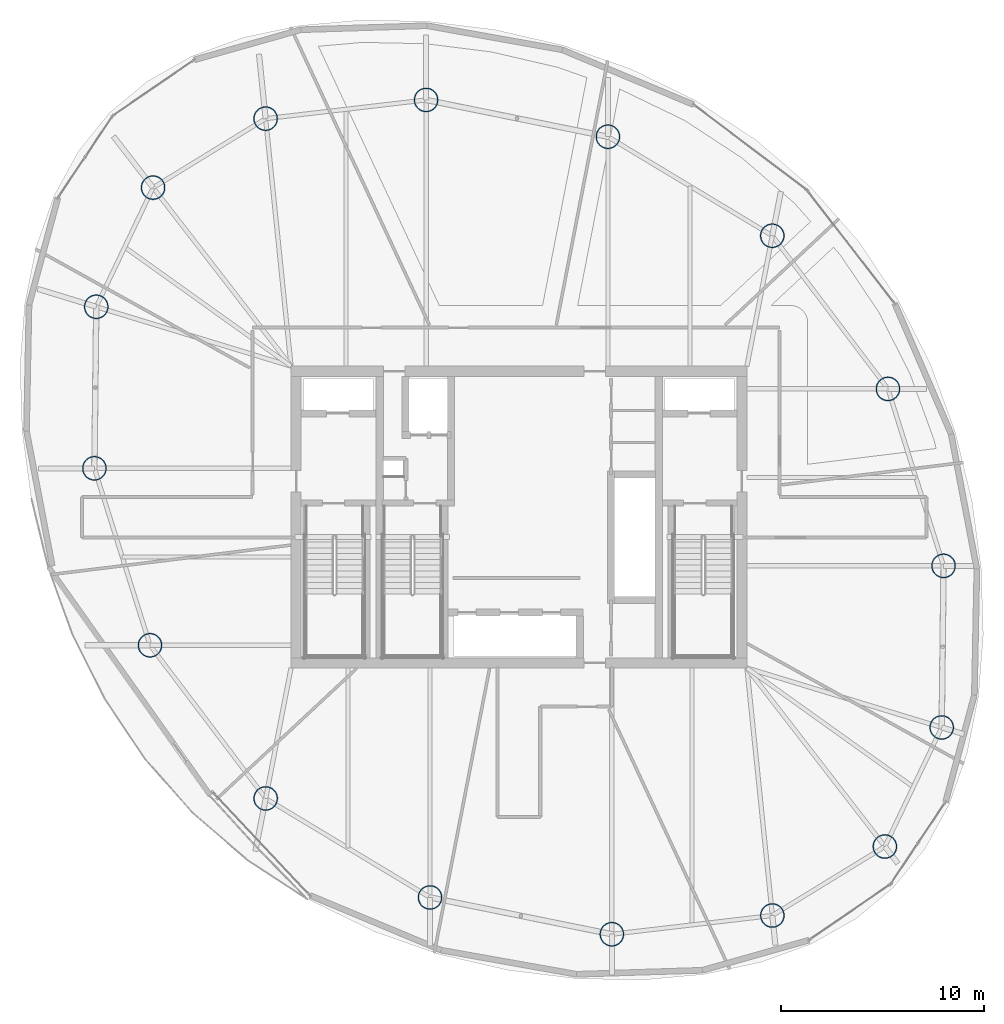
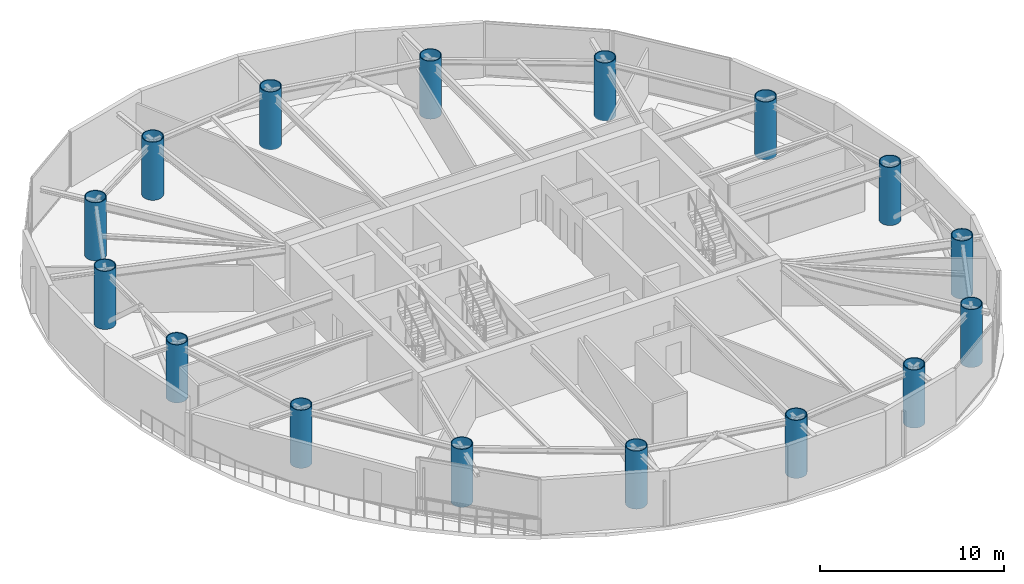
# One storey, part 1 of 16: 16 columns.
"""IFC4 building model written with IfcOpenShell, lengths in metres."""

from ifc_helpers import new_model, si_unit, direction, frame, origin, origin_2d, place, context, subcontext, project, spatial, hollow_circle, extrude, material, material_profile, profile_set, type_object, element, save


model = new_model("IFC4")

# Units and contexts
model_context = context("Model", 3, precision=1e-05, world=origin(), true_north=direction((0.0, 1.0)))
body_context = subcontext(model_context, "Body", "Model", "MODEL_VIEW")
ifc_project = project(units=[si_unit("LENGTHUNIT", "METRE"), si_unit("AREAUNIT", "SQUARE_METRE"), si_unit("VOLUMEUNIT", "CUBIC_METRE"), si_unit("PLANEANGLEUNIT", "RADIAN"), si_unit("MASSUNIT", "GRAM", prefix="KILO")], contexts=[model_context])

# Site, building, storey
site_placement = place(None, origin())
site = spatial("IfcSite", under=ifc_project, at=site_placement, CompositionType="ELEMENT")
building_placement = place(site_placement, origin())
building = spatial("IfcBuilding", under=site, at=building_placement, Name="Bramvorn Convention Spire", CompositionType="ELEMENT")
storey_placement = place(building_placement, frame((0.0, 0.0, 209.699951171875)))
storey = spatial("IfcBuildingStorey", under=building, at=storey_placement, Name="L53", CompositionType="ELEMENT", Elevation=209.699951171875)

# Columns
ifc_material = material(Name="Steel CSA G40.21 Grade 350 (350W)", Category="steel")
ifc_material_profile = material_profile(ifc_material, hollow_circle(Radius=0.60009765625, WallThickness=0.050048828125, at=origin_2d()))
ifc_profile_set = profile_set([ifc_material_profile], Name="Steel CSA G40.21 Grade 350 (350W) - CFT1200X50")
column_type = type_object("IfcColumnType", Name="COL-CFT1200X50", PredefinedType="COLUMN", material=ifc_profile_set)
for number, where, z_axis, x_axis, name in (
    (1, (56.058349609375, 9.739990234375, 0.0), (0.0, 0.0, 1.0), (1.0, 0.0, 0.0), "L53 composite CFT mega-column MC01"),
    (2, (58.863037109375, 15.619384765625, 0.0), (0.0, 0.0, 1.0), (1.0, 0.0, 0.0), "L53 composite CFT mega-column MC02"),
    (3, (58.95458984375, 23.593505859375, 0.0), (0.0, 0.0, 1.0), (1.0, 0.0, 0.0), "L53 composite CFT mega-column MC03"),
    (4, (56.21044921875, 32.327392578125, 0.0), (0.0, 0.0, 1.0), (1.0, 0.0, 0.0), "L53 composite CFT mega-column MC04"),
    (5, (50.501953125, 39.885009765625, 0.0), (0.0, 0.0, 1.0), (1.0, 0.0, 0.0), "L53 composite CFT mega-column MC05"),
    (6, (42.38916015625, 44.772216796875, 0.0), (0.0, 0.0, 1.0), (1.0, 0.0, 0.0), "L53 composite CFT mega-column MC06"),
    (7, (33.416259765625, 46.58837890625, 0.0), (0.0, 0.0, 1.0), (1.0, 0.0, 0.0), "L53 composite CFT mega-column MC07"),
    (8, (25.49560546875, 45.663818359375, 0.0), (0.0, 0.0, 1.0), (1.0, 0.0, 0.0), "L53 composite CFT mega-column MC08"),
    (9, (19.941650390625, 42.260009765625, 0.0), (0.0, 0.0, 1.0), (1.0, 0.0, 0.0), "L53 composite CFT mega-column MC09"),
    (10, (17.136962890625, 36.380615234375, 0.0), (0.0, 0.0, 1.0), (1.0, 0.0, 0.0), "L53 composite CFT mega-column MC10"),
    (11, (17.04541015625, 28.406494140625, 0.0), (0.0, 0.0, 1.0), (1.0, 0.0, 0.0), "L53 composite CFT mega-column MC11"),
    (12, (19.78955078125, 19.672607421875, 0.0), (0.0, 0.0, 1.0), (1.0, 0.0, 0.0), "L53 composite CFT mega-column MC12"),
    (13, (25.498046875, 12.114990234375, 0.0), (0.0, 0.0, 1.0), (1.0, 0.0, 0.0), "L53 composite CFT mega-column MC13"),
    (14, (33.61083984375, 7.227783203125, 0.0), (0.0, 0.0, 1.0), (1.0, 0.0, 0.0), "L53 composite CFT mega-column MC14"),
    (15, (42.583740234375, 5.41162109375, 0.0), (0.0, 0.0, 1.0), (1.0, 0.0, 0.0), "L53 composite CFT mega-column MC15"),
    (16, (50.50439453125, 6.336181640625, 0.0), (0.0, 0.0, 1.0), (1.0, 0.0, 0.0), "L53 composite CFT mega-column MC16"),
):
    element("IfcColumn", number, at=place(storey_placement, frame(where, z_axis=z_axis, x_axis=x_axis)), inside=storey, type_object=column_type, Name=name, PredefinedType="COLUMN", context=body_context, shape_type="SweptSolid", body=[
        extrude(hollow_circle(Radius=0.60009765625, WallThickness=0.050048828125, at=origin_2d()), origin(), (0.0, 0.0, 1.0), 3.85009765625),
    ])

save(model, "model.ifc")
